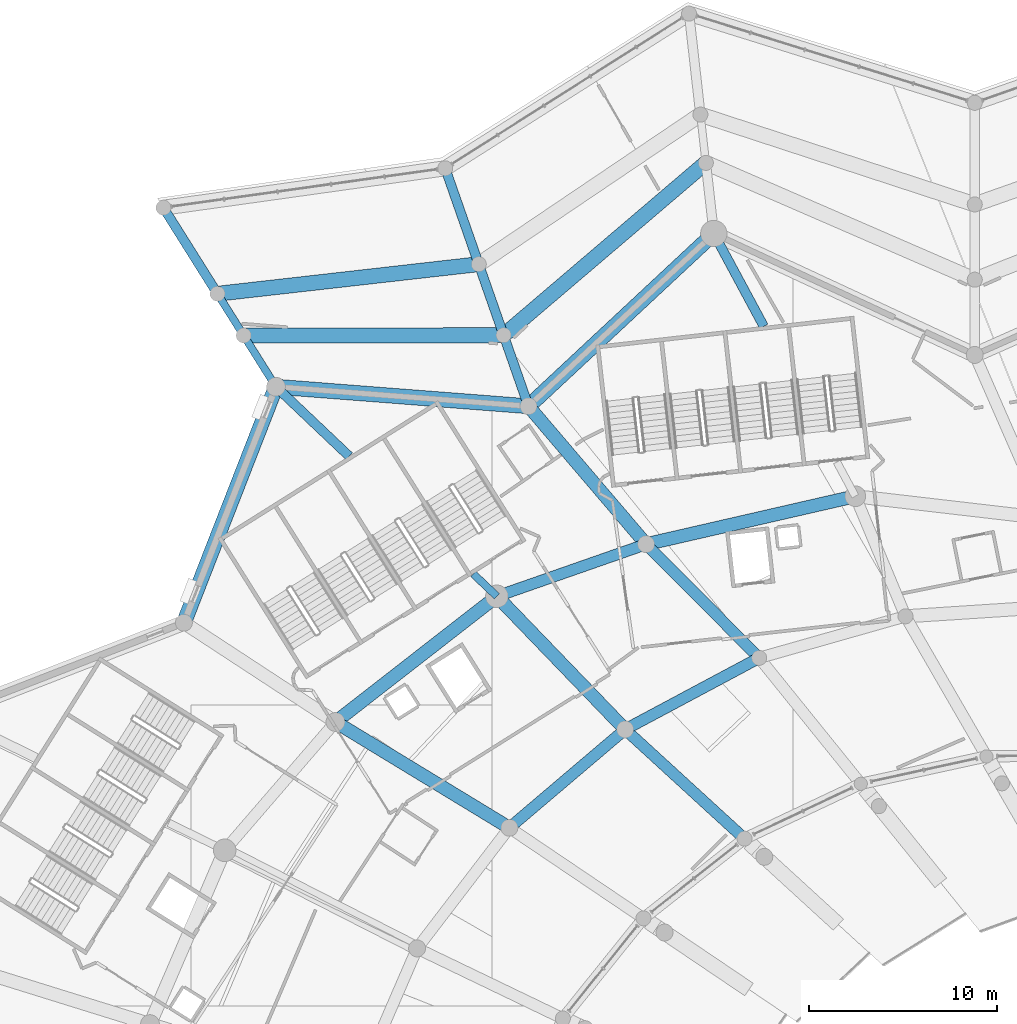
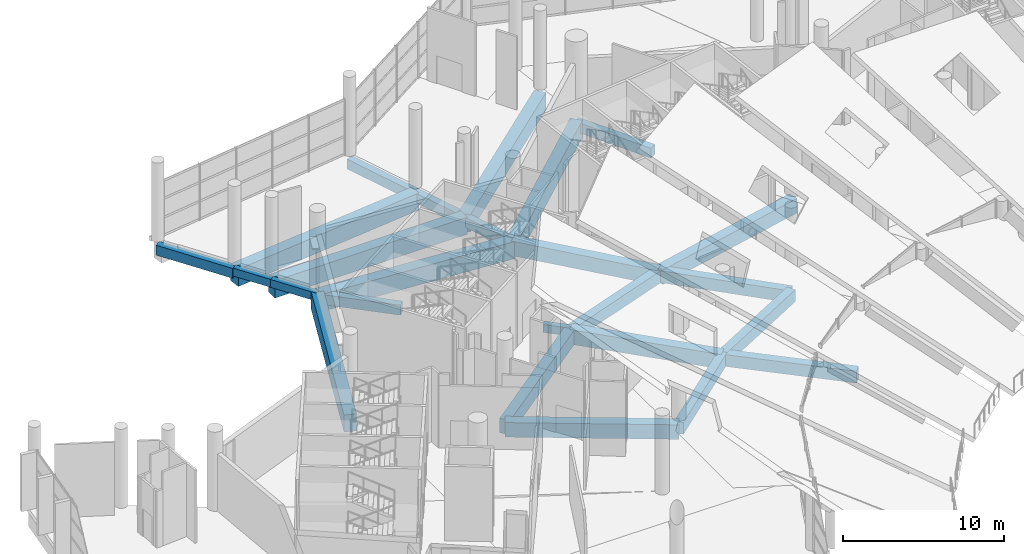
# One storey, part 64 of 249: 25 beams.
"""IFC4 building model written with IfcOpenShell, lengths in metres."""

from ifc_helpers import new_model, si_unit, direction, frame, origin, origin_2d, place, context, subcontext, project, spatial, rectangle, extrude, material, material_profile, profile_set, type_object, element, save


model = new_model("IFC4")

# Units and contexts
model_context = context("Model", 3, precision=1e-05, world=origin(), true_north=direction((0.0, 1.0)))
body_context = subcontext(model_context, "Body", "Model", "MODEL_VIEW")
ifc_project = project(units=[si_unit("LENGTHUNIT", "METRE"), si_unit("AREAUNIT", "SQUARE_METRE"), si_unit("VOLUMEUNIT", "CUBIC_METRE"), si_unit("PLANEANGLEUNIT", "RADIAN"), si_unit("MASSUNIT", "GRAM", prefix="KILO")], contexts=[model_context])

# Site, building, storey
site_placement = place(None, origin())
site = spatial("IfcSite", under=ifc_project, at=site_placement, CompositionType="ELEMENT")
building_placement = place(site_placement, origin())
building = spatial("IfcBuilding", under=site, at=building_placement, Name="Meseta Stadium", CompositionType="ELEMENT")
storey_placement = place(building_placement, frame((0.0, 0.0, 12.0)))
storey = spatial("IfcBuildingStorey", under=building, at=storey_placement, Name="L02", CompositionType="ELEMENT", Elevation=12.0)

# Beams
ifc_material_1 = material(Name="Concrete C40/50", Category="concrete")
ifc_material_profile_1 = material_profile(ifc_material_1, rectangle(XDim=0.39990234375, YDim=0.60009765625, at=origin_2d()), Name="RC 400x600")
ifc_profile_set_1 = profile_set([ifc_material_profile_1], Name="Concrete C40/50")
beam_type_1 = type_object("IfcBeamType", Name="RC beam 400x600", PredefinedType="BEAM", material=ifc_profile_set_1)
beam_1_placement = place(storey_placement, frame((-63.731201171875, 85.77099609375, -0.64990234375), z_axis=(-0.725600801439, 0.688115889187, 0.0), x_axis=(-0.688115889187, -0.725600801439, 0.0)))
element("IfcBeam", 1, at=beam_1_placement, inside=storey, type_object=beam_type_1, Name="L02 radial beam frame 24 line P to R", PredefinedType="BEAM", context=body_context, shape_type="SweptSolid", body=[
    extrude(rectangle(XDim=0.39990234375, YDim=0.60009765625, at=origin_2d()), origin(), (0.0, 0.0, 1.0), 1.732421875),
])
beam_2_placement = place(storey_placement, frame((-75.474609375, 96.908447265625, -0.64990234375), z_axis=(-0.532008453304, 0.846739042216, 0.0), x_axis=(-0.846739042216, -0.532008453304, 0.0)))
element("IfcBeam", 2, at=beam_2_placement, inside=storey, type_object=beam_type_1, Name="L02 radial beam frame 24 line R to M", PredefinedType="BEAM", context=body_context, shape_type="SweptSolid", body=[
    extrude(rectangle(XDim=0.39990234375, YDim=0.60009765625, at=origin_2d()), origin(), (0.0, 0.0, 1.0), 3.21923828125),
])
beam_3_placement = place(storey_placement, frame((-77.187255859375, 99.63427734375, -0.64990234375), z_axis=(-0.532083725107, 0.84669174407, 0.0), x_axis=(-0.84669174407, -0.532083725107, 0.0)))
element("IfcBeam", 3, at=beam_3_placement, inside=storey, type_object=beam_type_1, Name="L02 radial beam frame 24 line M to Q", PredefinedType="BEAM", context=body_context, shape_type="SweptSolid", body=[
    extrude(rectangle(XDim=0.39990234375, YDim=0.60009765625, at=origin_2d()), origin(), (0.0, 0.0, 1.0), 2.619140625),
])
ifc_material_2 = material(Name="Concrete C40/50", Category="concrete")
ifc_material_profile_2 = material_profile(ifc_material_2, rectangle(XDim=0.5, YDim=0.75, at=origin_2d()), Name="RC 500x750")
ifc_profile_set_2 = profile_set([ifc_material_profile_2], Name="Concrete C40/50")
beam_type_2 = type_object("IfcBeamType", Name="RC beam 500x750", PredefinedType="BEAM", material=ifc_profile_set_2)
beam_4_placement = place(storey_placement, frame((-49.54541015625, 100.1181640625, -0.72509765625), z_axis=(-0.474227121741, 0.880402542594, 0.0), x_axis=(-0.880402542594, -0.474227121741, 0.0)))
element("IfcBeam", 4, at=beam_4_placement, inside=storey, type_object=beam_type_2, Name="L02 radial beam frame 22 line P to R", PredefinedType="BEAM", context=body_context, shape_type="SweptSolid", body=[
    extrude(rectangle(XDim=0.5, YDim=0.75, at=origin_2d()), origin(), (0.0, 0.0, 1.0), 5.603759765625),
])
beam_5_placement = place(storey_placement, frame((-71.57958984375, 93.214599609375, -0.72509765625), z_axis=(-0.725596444109, 0.688120483852, 0.0), x_axis=(-0.688120483852, -0.725596444109, 0.0)))
element("IfcBeam", 5, at=beam_5_placement, inside=storey, type_object=beam_type_2, Name="L02 radial beam frame 24 line P to R", PredefinedType="BEAM", context=body_context, shape_type="SweptSolid", body=[
    extrude(rectangle(XDim=0.5, YDim=0.75, at=origin_2d()), origin(), (0.0, 0.0, 1.0), 5.367919921875),
])
for number, where, z_axis, x_axis, name in (
    (6, (-62.051513671875, 95.872802734375, -0.72509765625), (-0.330328674497, 0.943865968666, 0.0), (-0.943865968666, -0.330328674497, 0.0), "L02 radial beam frame 23 line R to M"),
    (7, (-63.372802734375, 99.648193359375, -0.72509765625), (-0.330255269735, 0.94389165523, 0.0), (-0.94389165523, -0.330255269735, 0.0), "L02 radial beam frame 23 line M to Q"),
):
    element("IfcBeam", number, at=place(storey_placement, frame(where, z_axis=z_axis, x_axis=x_axis)), inside=storey, type_object=beam_type_2, Name=name, PredefinedType="BEAM", context=body_context, shape_type="SweptSolid", body=[
        extrude(rectangle(XDim=0.5, YDim=0.75, at=origin_2d()), origin(), (0.0, 0.0, 1.0), 4.0),
    ])
beam_6_placement = place(storey_placement, frame((-64.69384765625, 103.423828125, -0.72509765625), z_axis=(-0.330271882003, 0.943885842652, 0.0), x_axis=(-0.943885842652, -0.330271882003, 0.0)))
element("IfcBeam", 8, at=beam_6_placement, inside=storey, type_object=beam_type_2, Name="L02 radial beam frame 23 line Q to O", PredefinedType="BEAM", context=body_context, shape_type="SweptSolid", body=[
    extrude(rectangle(XDim=0.5, YDim=0.75, at=origin_2d()), origin(), (0.0, 0.0, 1.0), 5.39990234375),
])
beam_7_placement = place(storey_placement, frame((-78.580810546875, 101.851806640625, -0.72509765625), z_axis=(-0.531992833871, 0.846748855747, 0.0), x_axis=(-0.846748855747, -0.531992833871, 0.0)))
element("IfcBeam", 9, at=beam_7_placement, inside=storey, type_object=beam_type_2, Name="L02 radial beam frame 24 line Q to O", PredefinedType="BEAM", context=body_context, shape_type="SweptSolid", body=[
    extrude(rectangle(XDim=0.5, YDim=0.75, at=origin_2d()), origin(), (0.0, 0.0, 1.0), 5.400146484375),
])
ifc_material_3 = material(Name="Concrete C40/50", Category="concrete")
ifc_material_profile_3 = material_profile(ifc_material_3, rectangle(XDim=0.60009765625, YDim=0.89990234375, at=origin_2d()), Name="RC 600x900")
ifc_profile_set_3 = profile_set([ifc_material_profile_3], Name="Concrete C40/50")
beam_type_3 = type_object("IfcBeamType", Name="RC beam 600x900", PredefinedType="BEAM", material=ifc_profile_set_3)
beam_8_placement = place(storey_placement, frame((-49.791015625, 82.498779296875, -0.800048828125), z_axis=(-0.882172948557, -0.47092556613, 0.0), x_axis=(0.47092556613, -0.882172948557, 0.0)))
element("IfcBeam", 10, at=beam_8_placement, inside=storey, type_object=beam_type_3, Name="L02 ring beam frame 23 line E", PredefinedType="BEAM", context=body_context, shape_type="SweptSolid", body=[
    extrude(rectangle(XDim=0.60009765625, YDim=0.89990234375, at=origin_2d()), origin(), (0.0, 0.0, 1.0), 8.075439453125),
])
beam_9_placement = place(storey_placement, frame((-55.799560546875, 88.541748046875, -0.800048828125), z_axis=(-0.944055708451, -0.329786020537, 0.0), x_axis=(0.329786020537, -0.944055708451, 0.0)))
element("IfcBeam", 11, at=beam_9_placement, inside=storey, type_object=beam_type_3, Name="L02 ring beam frame 23 line P", PredefinedType="BEAM", context=body_context, shape_type="SweptSolid", body=[
    extrude(rectangle(XDim=0.60009765625, YDim=0.89990234375, at=origin_2d()), origin(), (0.0, 0.0, 1.0), 8.401611328125),
])
beam_10_placement = place(storey_placement, frame((-56.9150390625, 78.69580078125, -0.800048828125), z_axis=(-0.762201166724, -0.647340236231, 0.0), x_axis=(0.647340236231, -0.762201166724, 0.0)))
element("IfcBeam", 12, at=beam_10_placement, inside=storey, type_object=beam_type_3, Name="L02 ring beam frame 24 line E", PredefinedType="BEAM", context=body_context, shape_type="SweptSolid", body=[
    extrude(rectangle(XDim=0.60009765625, YDim=0.89990234375, at=origin_2d()), origin(), (0.0, 0.0, 1.0), 8.07275390625),
])
beam_11_placement = place(storey_placement, frame((-49.791015625, 82.498779296875, -0.800048828125), z_axis=(-0.705084131782, 0.709123661366, 0.0), x_axis=(-0.709123661366, -0.705084131782, 0.0)))
element("IfcBeam", 13, at=beam_11_placement, inside=storey, type_object=beam_type_3, Name="L02 radial beam frame 23 line E to P", PredefinedType="BEAM", context=body_context, shape_type="SweptSolid", body=[
    extrude(rectangle(XDim=0.60009765625, YDim=0.89990234375, at=origin_2d()), origin(), (0.0, 0.0, 1.0), 8.521728515625),
])
beam_12_placement = place(storey_placement, frame((-50.571533203125, 72.888916015625, -0.800048828125), z_axis=(-0.737617073742, 0.675219262554, 0.0), x_axis=(-0.675219262554, -0.737617073742, 0.0)))
element("IfcBeam", 14, at=beam_12_placement, inside=storey, type_object=beam_type_3, Name="L02 radial beam frame 24 line D to E", PredefinedType="BEAM", context=body_context, shape_type="SweptSolid", body=[
    extrude(rectangle(XDim=0.60009765625, YDim=0.89990234375, at=origin_2d()), origin(), (0.0, 0.0, 1.0), 8.60009765625),
])
ifc_material_4 = material(Name="Concrete C40/50", Category="concrete")
ifc_material_profile_4 = material_profile(ifc_material_4, rectangle(XDim=0.699951171875, YDim=1.10009765625, at=origin_2d()), Name="RC 700x1100")
ifc_profile_set_4 = profile_set([ifc_material_profile_4], Name="Concrete C40/50")
beam_type_4 = type_object("IfcBeamType", Name="RC beam 700x1100", PredefinedType="BEAM", material=ifc_profile_set_4)
beam_13_placement = place(storey_placement, frame((-44.6826171875, 91.0908203125, -0.89990234375), z_axis=(-0.974704832518, -0.22349606141, 0.0), x_axis=(0.22349606141, -0.974704832518, 0.0)))
element("IfcBeam", 15, at=beam_13_placement, inside=storey, type_object=beam_type_4, Name="L02 ring beam frame 22 line P", PredefinedType="BEAM", context=body_context, shape_type="SweptSolid", body=[
    extrude(rectangle(XDim=0.699951171875, YDim=1.10009765625, at=origin_2d()), origin(), (0.0, 0.0, 1.0), 11.405517578125),
])
beam_14_placement = place(storey_placement, frame((-63.731201171875, 85.77099609375, -0.89990234375), z_axis=(-0.789086185012, -0.614282502293, 0.0), x_axis=(0.614282502293, -0.789086185012, 0.0)))
element("IfcBeam", 16, at=beam_14_placement, inside=storey, type_object=beam_type_4, Name="L02 ring beam frame 24 line P", PredefinedType="BEAM", context=body_context, shape_type="SweptSolid", body=[
    extrude(rectangle(XDim=0.699951171875, YDim=1.10009765625, at=origin_2d()), origin(), (0.0, 0.0, 1.0), 10.874267578125),
])
beam_15_placement = place(storey_placement, frame((-55.799560546875, 88.541748046875, -0.89990234375), z_axis=(-0.648886206148, 0.760885465409, 0.0), x_axis=(-0.760885465409, -0.648886206148, 0.0)))
element("IfcBeam", 17, at=beam_15_placement, inside=storey, type_object=beam_type_4, Name="L02 radial beam frame 23 line P to R", PredefinedType="BEAM", context=body_context, shape_type="SweptSolid", body=[
    extrude(rectangle(XDim=0.699951171875, YDim=1.10009765625, at=origin_2d()), origin(), (0.0, 0.0, 1.0), 9.635009765625),
])
beam_16_placement = place(storey_placement, frame((-56.9150390625, 78.69580078125, -0.89990234375), z_axis=(-0.69380069558, 0.72016706035, 0.0), x_axis=(-0.72016706035, -0.69380069558, 0.0)))
element("IfcBeam", 18, at=beam_16_placement, inside=storey, type_object=beam_type_4, Name="L02 radial beam frame 24 line E to P", PredefinedType="BEAM", context=body_context, shape_type="SweptSolid", body=[
    extrude(rectangle(XDim=0.699951171875, YDim=1.10009765625, at=origin_2d()), origin(), (0.0, 0.0, 1.0), 9.824462890625),
])
beam_17_placement = place(storey_placement, frame((-63.068115234375, 73.469970703125, -0.89990234375), z_axis=(-0.854429426189, 0.519567469788, 0.0), x_axis=(-0.519567469788, -0.854429426189, 0.0)))
element("IfcBeam", 19, at=beam_17_placement, inside=storey, type_object=beam_type_4, Name="L02 radial beam frame 25 line E to P", PredefinedType="BEAM", context=body_context, shape_type="SweptSolid", body=[
    extrude(rectangle(XDim=0.699951171875, YDim=1.10009765625, at=origin_2d()), origin(), (0.0, 0.0, 1.0), 10.81884765625),
])
ifc_material_5 = material(Name="Concrete C40/50", Category="concrete")
ifc_material_profile_5 = material_profile(ifc_material_5, rectangle(XDim=0.800048828125, YDim=1.300048828125, at=origin_2d()), Name="RC 800x1300")
ifc_profile_set_5 = profile_set([ifc_material_profile_5], Name="Concrete C40/50")
beam_type_5 = type_object("IfcBeamType", Name="RC beam 800x1300", PredefinedType="BEAM", material=ifc_profile_set_5)
for number, where, z_axis, x_axis, name in (
    (20, (-52.202880859375, 105.0517578125, -1.0), (-0.73154053301, -0.681797952889, 0.0), (0.681797952889, -0.73154053301, 0.0), "L02 ring beam frame 22 line R"),
    (21, (-62.051513671875, 95.872802734375, -1.0), (-0.997036858399, 0.076925307894, 0.0), (-0.076925307894, -0.997036858399, 0.0), "L02 ring beam frame 23 line R"),
    (22, (-75.474609375, 96.908447265625, -1.0), (-0.363287980868, -0.93167689837, 0.0), (0.93167689837, -0.363287980868, 0.0), "L02 ring beam frame 24 line R"),
):
    element("IfcBeam", number, at=place(storey_placement, frame(where, z_axis=z_axis, x_axis=x_axis)), inside=storey, type_object=beam_type_5, Name=name, PredefinedType="BEAM", context=body_context, shape_type="SweptSolid", body=[
        extrude(rectangle(XDim=0.800048828125, YDim=1.300048828125, at=origin_2d()), origin(), (0.0, 0.0, 1.0), 13.462890625),
    ])
beam_18_placement = place(storey_placement, frame((-52.626220703125, 108.80810546875, -1.0), z_axis=(-0.761053850743, -0.648688705212, 0.0), x_axis=(0.648688705212, -0.761053850743, 0.0)))
element("IfcBeam", 23, at=beam_18_placement, inside=storey, type_object=beam_type_5, Name="L02 ring beam frame 22 line M", PredefinedType="BEAM", context=body_context, shape_type="SweptSolid", body=[
    extrude(rectangle(XDim=0.800048828125, YDim=1.300048828125, at=origin_2d()), origin(), (0.0, 0.0, 1.0), 14.12060546875),
])
beam_19_placement = place(storey_placement, frame((-63.372802734375, 99.648193359375, -1.0), z_axis=(-0.999999492621, -0.00100735139, 0.0), x_axis=(0.00100735139, -0.999999492621, 0.0)))
element("IfcBeam", 24, at=beam_19_placement, inside=storey, type_object=beam_type_5, Name="L02 ring beam frame 23 line M", PredefinedType="BEAM", context=body_context, shape_type="SweptSolid", body=[
    extrude(rectangle(XDim=0.800048828125, YDim=1.300048828125, at=origin_2d()), origin(), (0.0, 0.0, 1.0), 13.814453125),
])
beam_20_placement = place(storey_placement, frame((-64.69384765625, 103.423828125, -1.0), z_axis=(-0.993653668283, -0.112482832054, 0.0), x_axis=(0.112482832054, -0.993653668283, 0.0)))
element("IfcBeam", 25, at=beam_20_placement, inside=storey, type_object=beam_type_5, Name="L02 ring beam frame 23 line Q", PredefinedType="BEAM", context=body_context, shape_type="SweptSolid", body=[
    extrude(rectangle(XDim=0.800048828125, YDim=1.300048828125, at=origin_2d()), origin(), (0.0, 0.0, 1.0), 13.9755859375),
])

save(model, "model.ifc")
